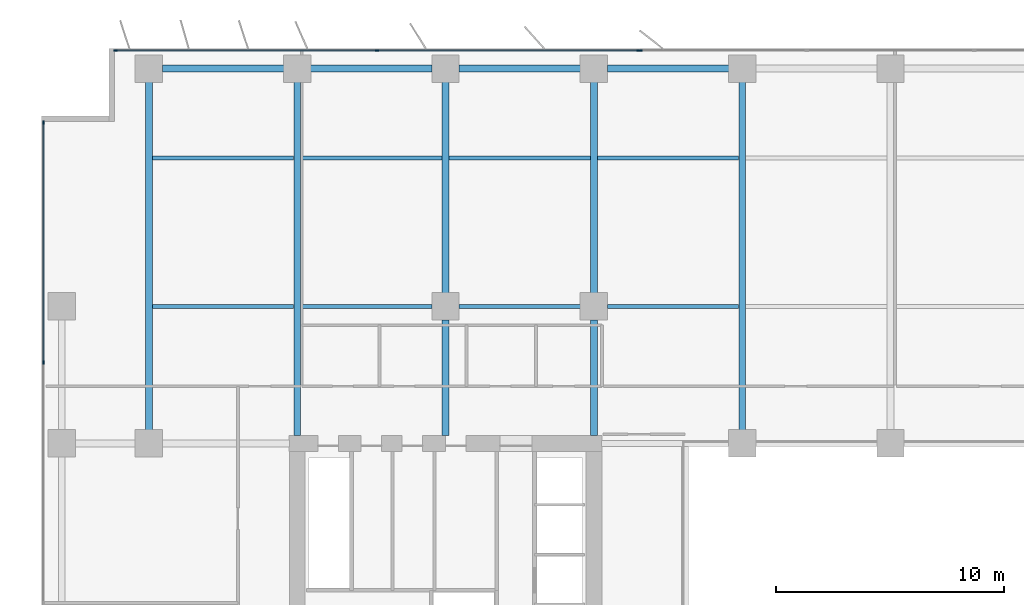
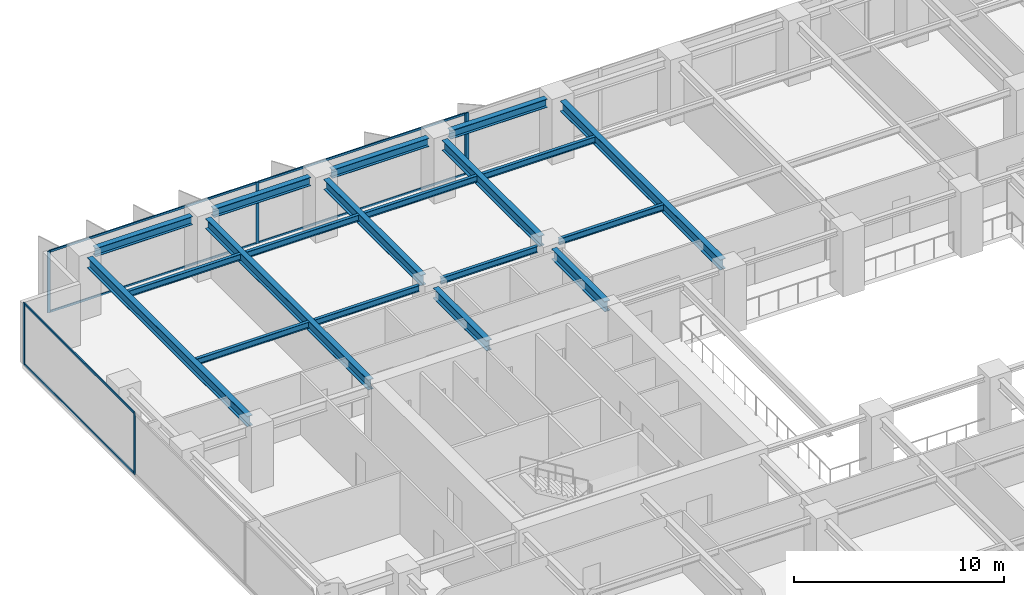
# One storey, part 7 of 20: 19 beams, 12 members, 3 elements without a shape of their own.
"""IFC4 building model written with IfcOpenShell, lengths in metres."""

from ifc_helpers import new_model, si_unit, direction, frame, origin, origin_2d, place, context, subcontext, project, spatial, rectangle, i_section, extrude, material, layer, layer_set, material_profile, profile_set, type_object, element, aggregate, save


model = new_model("IFC4")

# Units and contexts
model_context = context("Model", 3, precision=1e-05, world=origin(), true_north=direction((0.0, 1.0)))
body_context = subcontext(model_context, "Body", "Model", "MODEL_VIEW")
ifc_project = project(units=[si_unit("LENGTHUNIT", "METRE"), si_unit("AREAUNIT", "SQUARE_METRE"), si_unit("VOLUMEUNIT", "CUBIC_METRE"), si_unit("PLANEANGLEUNIT", "RADIAN"), si_unit("MASSUNIT", "GRAM", prefix="KILO")], contexts=[model_context])

# Site, building, storey
site_placement = place(None, origin())
site = spatial("IfcSite", under=ifc_project, at=site_placement, CompositionType="ELEMENT")
building_placement = place(site_placement, origin())
building = spatial("IfcBuilding", under=site, at=building_placement, Name="Putna Gate Headquarters", CompositionType="ELEMENT")
storey_placement = place(building_placement, frame((0.0, 0.0, 105.0)))
storey = spatial("IfcBuildingStorey", under=building, at=storey_placement, Name="L25", CompositionType="ELEMENT", Elevation=105.0)

# Beams
ifc_material_1 = material(Name="Steel S355J2", Category="steel")
ifc_material_profile_1 = material_profile(ifc_material_1, i_section(OverallWidth=0.300048828125, OverallDepth=0.60009765625, WebThickness=0.015380859375, FlangeThickness=0.030029296875, at=origin_2d()), Name="Steel S355J2")
ifc_profile_set_1 = profile_set([ifc_material_profile_1], Name="Steel S355J2")
beam_type_1 = type_object("IfcBeamType", Name="BM-GIRD-Z2-HEB600", PredefinedType="USERDEFINED", material=ifc_profile_set_1)
beam_1_placement = place(storey_placement, frame((6.5, 33.587890625, 3.264892578125), z_axis=(0.0, 1.0, 0.0), x_axis=(-1.0, 0.0, 0.0)))
element("IfcBeam", 1, at=beam_1_placement, inside=storey, type_object=beam_type_1, Name="L25 North Primary Girder X6", ObjectType="GIRDER", PredefinedType="USERDEFINED", context=body_context, shape_type="SweptSolid", body=[
    extrude(i_section(OverallWidth=0.300048828125, OverallDepth=0.60009765625, WebThickness=0.015380859375, FlangeThickness=0.030029296875, at=origin_2d()), origin(), (0.0, 0.0, 1.0), 15.244140625),
])
beam_2_placement = place(storey_placement, frame((13.0, 33.3349609375, 3.264892578125), z_axis=(0.0, 1.0, 0.0), x_axis=(-1.0, 0.0, 0.0)))
element("IfcBeam", 2, at=beam_2_placement, inside=storey, type_object=beam_type_1, Name="L25 North Primary Girder X13", ObjectType="GIRDER", PredefinedType="USERDEFINED", context=body_context, shape_type="SweptSolid", body=[
    extrude(i_section(OverallWidth=0.300048828125, OverallDepth=0.60009765625, WebThickness=0.015380859375, FlangeThickness=0.030029296875, at=origin_2d()), origin(), (0.0, 0.0, 1.0), 15.4970703125),
])
beam_3_placement = place(storey_placement, frame((19.5, 33.3349609375, 3.264892578125), z_axis=(0.0, 1.0, 0.0), x_axis=(-1.0, 0.0, 0.0)))
element("IfcBeam", 3, at=beam_3_placement, inside=storey, type_object=beam_type_1, Name="L25 North Primary Girder X19-1", ObjectType="GIRDER", PredefinedType="USERDEFINED", context=body_context, shape_type="SweptSolid", body=[
    extrude(i_section(OverallWidth=0.300048828125, OverallDepth=0.60009765625, WebThickness=0.015380859375, FlangeThickness=0.030029296875, at=origin_2d()), origin(), (0.0, 0.0, 1.0), 5.0771484375),
])
beam_4_placement = place(storey_placement, frame((19.5, 39.587890625, 3.264892578125), z_axis=(0.0, 1.0, 0.0), x_axis=(-1.0, 0.0, 0.0)))
element("IfcBeam", 4, at=beam_4_placement, inside=storey, type_object=beam_type_1, Name="L25 North Primary Girder X19-2", ObjectType="GIRDER", PredefinedType="USERDEFINED", context=body_context, shape_type="SweptSolid", body=[
    extrude(i_section(OverallWidth=0.300048828125, OverallDepth=0.60009765625, WebThickness=0.015380859375, FlangeThickness=0.030029296875, at=origin_2d()), origin(), (0.0, 0.0, 1.0), 9.244140625),
])
beam_5_placement = place(storey_placement, frame((26.0, 33.3349609375, 3.264892578125), z_axis=(0.0, 1.0, 0.0), x_axis=(-1.0, 0.0, 0.0)))
element("IfcBeam", 5, at=beam_5_placement, inside=storey, type_object=beam_type_1, Name="L25 North Primary Girder X26-1", ObjectType="GIRDER", PredefinedType="USERDEFINED", context=body_context, shape_type="SweptSolid", body=[
    extrude(i_section(OverallWidth=0.300048828125, OverallDepth=0.60009765625, WebThickness=0.015380859375, FlangeThickness=0.030029296875, at=origin_2d()), origin(), (0.0, 0.0, 1.0), 5.0771484375),
])
beam_6_placement = place(storey_placement, frame((26.0, 39.587890625, 3.264892578125), z_axis=(0.0, 1.0, 0.0), x_axis=(-1.0, 0.0, 0.0)))
element("IfcBeam", 6, at=beam_6_placement, inside=storey, type_object=beam_type_1, Name="L25 North Primary Girder X26-2", ObjectType="GIRDER", PredefinedType="USERDEFINED", context=body_context, shape_type="SweptSolid", body=[
    extrude(i_section(OverallWidth=0.300048828125, OverallDepth=0.60009765625, WebThickness=0.015380859375, FlangeThickness=0.030029296875, at=origin_2d()), origin(), (0.0, 0.0, 1.0), 9.244140625),
])
beam_7_placement = place(storey_placement, frame((32.5, 33.587890625, 3.264892578125), z_axis=(0.0, 1.0, 0.0), x_axis=(-1.0, 0.0, 0.0)))
element("IfcBeam", 7, at=beam_7_placement, inside=storey, type_object=beam_type_1, Name="L25 North Primary Girder X32", ObjectType="GIRDER", PredefinedType="USERDEFINED", context=body_context, shape_type="SweptSolid", body=[
    extrude(i_section(OverallWidth=0.300048828125, OverallDepth=0.60009765625, WebThickness=0.015380859375, FlangeThickness=0.030029296875, at=origin_2d()), origin(), (0.0, 0.0, 1.0), 15.244140625),
])
ifc_material_profile_2 = material_profile(ifc_material_1, i_section(OverallWidth=0.169921875, OverallDepth=0.360107421875, WebThickness=0.008056640625, FlangeThickness=0.0126953125, at=origin_2d()), Name="Steel S355J2")
ifc_profile_set_2 = profile_set([ifc_material_profile_2], Name="Steel S355J2")
beam_type_2 = type_object("IfcBeamType", Name="BM-SEC-Z2-IPE360", PredefinedType="BEAM", material=ifc_profile_set_2)
for number, where, z_axis, x_axis, name in (
    (8, (6.654052734375, 39.0, 3.385009765625), (1.0, 0.0, 0.0), (0.0, 1.0, 0.0), "L25 North Secondary Beam 1"),
    (9, (6.654052734375, 45.5, 3.385009765625), (1.0, 0.0, 0.0), (0.0, 1.0, 0.0), "L25 North Secondary Beam 1"),
):
    element("IfcBeam", number, at=place(storey_placement, frame(where, z_axis=z_axis, x_axis=x_axis)), inside=storey, type_object=beam_type_2, Name=name, PredefinedType="BEAM", context=body_context, shape_type="SweptSolid", body=[
        extrude(i_section(OverallWidth=0.169921875, OverallDepth=0.360107421875, WebThickness=0.008056640625, FlangeThickness=0.0126953125, at=origin_2d()), origin(), (0.0, 0.0, 1.0), 6.19189453125),
    ])
beam_8_placement = place(storey_placement, frame((13.154052734375, 39.0, 3.385009765625), z_axis=(1.0, 0.0, 0.0), x_axis=(0.0, 1.0, 0.0)))
element("IfcBeam", 10, at=beam_8_placement, inside=storey, type_object=beam_type_2, Name="L25 North Secondary Beam 2", PredefinedType="BEAM", context=body_context, shape_type="SweptSolid", body=[
    extrude(i_section(OverallWidth=0.169921875, OverallDepth=0.360107421875, WebThickness=0.008056640625, FlangeThickness=0.0126953125, at=origin_2d()), origin(), (0.0, 0.0, 1.0), 5.758056640625),
])
beam_9_placement = place(storey_placement, frame((13.154052734375, 45.5, 3.385009765625), z_axis=(1.0, 0.0, 0.0), x_axis=(0.0, 1.0, 0.0)))
element("IfcBeam", 11, at=beam_9_placement, inside=storey, type_object=beam_type_2, Name="L25 North Secondary Beam 2", PredefinedType="BEAM", context=body_context, shape_type="SweptSolid", body=[
    extrude(i_section(OverallWidth=0.169921875, OverallDepth=0.360107421875, WebThickness=0.008056640625, FlangeThickness=0.0126953125, at=origin_2d()), origin(), (0.0, 0.0, 1.0), 6.19189453125),
])
beam_10_placement = place(storey_placement, frame((20.087890625, 39.0, 3.385009765625), z_axis=(1.0, 0.0, 0.0), x_axis=(0.0, 1.0, 0.0)))
element("IfcBeam", 12, at=beam_10_placement, inside=storey, type_object=beam_type_2, Name="L25 North Secondary Beam 3", PredefinedType="BEAM", context=body_context, shape_type="SweptSolid", body=[
    extrude(i_section(OverallWidth=0.169921875, OverallDepth=0.360107421875, WebThickness=0.008056640625, FlangeThickness=0.0126953125, at=origin_2d()), origin(), (0.0, 0.0, 1.0), 5.32421875),
])
beam_11_placement = place(storey_placement, frame((19.654052734375, 45.5, 3.385009765625), z_axis=(1.0, 0.0, 0.0), x_axis=(0.0, 1.0, 0.0)))
element("IfcBeam", 13, at=beam_11_placement, inside=storey, type_object=beam_type_2, Name="L25 North Secondary Beam 3", PredefinedType="BEAM", context=body_context, shape_type="SweptSolid", body=[
    extrude(i_section(OverallWidth=0.169921875, OverallDepth=0.360107421875, WebThickness=0.008056640625, FlangeThickness=0.0126953125, at=origin_2d()), origin(), (0.0, 0.0, 1.0), 6.19189453125),
])
beam_12_placement = place(storey_placement, frame((26.587890625, 39.0, 3.385009765625), z_axis=(1.0, 0.0, 0.0), x_axis=(0.0, 1.0, 0.0)))
element("IfcBeam", 14, at=beam_12_placement, inside=storey, type_object=beam_type_2, Name="L25 North Secondary Beam 4", PredefinedType="BEAM", context=body_context, shape_type="SweptSolid", body=[
    extrude(i_section(OverallWidth=0.169921875, OverallDepth=0.360107421875, WebThickness=0.008056640625, FlangeThickness=0.0126953125, at=origin_2d()), origin(), (0.0, 0.0, 1.0), 5.758056640625),
])
beam_13_placement = place(storey_placement, frame((26.154052734375, 45.5, 3.385009765625), z_axis=(1.0, 0.0, 0.0), x_axis=(0.0, 1.0, 0.0)))
element("IfcBeam", 15, at=beam_13_placement, inside=storey, type_object=beam_type_2, Name="L25 North Secondary Beam 4", PredefinedType="BEAM", context=body_context, shape_type="SweptSolid", body=[
    extrude(i_section(OverallWidth=0.169921875, OverallDepth=0.360107421875, WebThickness=0.008056640625, FlangeThickness=0.0126953125, at=origin_2d()), origin(), (0.0, 0.0, 1.0), 6.19189453125),
])
ifc_material_profile_3 = material_profile(ifc_material_1, i_section(OverallWidth=0.300048828125, OverallDepth=0.489990234375, WebThickness=0.011962890625, FlangeThickness=0.02294921875, at=origin_2d()), Name="Steel S355J2")
ifc_profile_set_3 = profile_set([ifc_material_profile_3], Name="Steel S355J2")
beam_type_3 = type_object("IfcBeamType", Name="BM-SPAN-Z2-HEA500", PredefinedType="SPANDREL", material=ifc_profile_set_3)
for number, where, z_axis, x_axis, name in (
    (16, (7.087890625, 49.419921875, 3.320068359375), (1.0, 0.0, 0.0), (0.0, 1.0, 0.0), "L25 N Perimeter Spandrel 1"),
    (17, (13.587890625, 49.419921875, 3.320068359375), (1.0, 0.0, 0.0), (0.0, 1.0, 0.0), "L25 N Perimeter Spandrel 2"),
    (18, (20.087890625, 49.419921875, 3.320068359375), (1.0, 0.0, 0.0), (0.0, 1.0, 0.0), "L25 N Perimeter Spandrel 3"),
    (19, (26.587890625, 49.419921875, 3.320068359375), (1.0, 0.0, 0.0), (0.0, 1.0, 0.0), "L25 N Perimeter Spandrel 4"),
):
    element("IfcBeam", number, at=place(storey_placement, frame(where, z_axis=z_axis, x_axis=x_axis)), inside=storey, type_object=beam_type_3, Name=name, PredefinedType="SPANDREL", context=body_context, shape_type="SweptSolid", body=[
        extrude(i_section(OverallWidth=0.300048828125, OverallDepth=0.489990234375, WebThickness=0.011962890625, FlangeThickness=0.02294921875, at=origin_2d()), origin(), (0.0, 0.0, 1.0), 5.32421875),
    ])

# Curtain wall, members
ifc_material_2 = material(Name="Anodised bronze aluminium curtain wall", Category="aluminium")
ifc_layer_1 = layer(ifc_material_2, 0.159912109375)
ifc_layer_set_1 = layer_set([ifc_layer_1], Name="Anodised bronze aluminium curtain wall")
curtain_wall_type_1 = type_object("IfcCurtainWallType", Name="CW-SYS-Z2", PredefinedType="USERDEFINED", material=ifc_layer_set_1)
curtain_wall_1_placement = place(storey_placement, origin())
curtain_wall_1 = element("IfcCurtainWall", 20, at=curtain_wall_1_placement, inside=storey, type_object=curtain_wall_type_1, Name="L25 North West Curtain Wall", ObjectType="STICK CURTAIN WALL", PredefinedType="USERDEFINED")
ifc_material_3 = material(Name="Anodised bronze aluminium EN AW-6060", Category="aluminium")
ifc_material_profile_4 = material_profile(ifc_material_3, rectangle(XDim=0.06494140625, YDim=0.159912109375, at=origin_2d()), Name="Anodised bronze aluminium EN AW-6060")
ifc_profile_set_4 = profile_set([ifc_material_profile_4], Name="Anodised bronze aluminium EN AW-6060")
member_type_1 = type_object("IfcMemberType", Name="MULL-CWM-2", PredefinedType="MULLION", material=ifc_profile_set_4)
member_1_placement = place(storey_placement, frame((5.032470703125, 50.219970703125, 0.0), z_axis=(0.0, 0.0, 1.0), x_axis=(0.0, 1.0, 0.0)))
member_1 = element("IfcMember", 21, at=member_1_placement, type_object=member_type_1, Name="CWS-2 mullion 1", PredefinedType="MULLION", context=body_context, shape_type="SweptSolid", body=[
    extrude(rectangle(XDim=0.06494140625, YDim=0.159912109375, at=origin_2d()), origin(), (0.0, 0.0, 1.0), 3.56494140625),
])
member_2_placement = place(storey_placement, frame((16.5, 50.219970703125, 0.0), z_axis=(0.0, 0.0, 1.0), x_axis=(0.0, 1.0, 0.0)))
member_2 = element("IfcMember", 22, at=member_2_placement, type_object=member_type_1, Name="CWS-2 mullion 2", PredefinedType="MULLION", context=body_context, shape_type="SweptSolid", body=[
    extrude(rectangle(XDim=0.06494140625, YDim=0.159912109375, at=origin_2d()), origin(), (0.0, 0.0, 1.0), 3.56494140625),
])
member_3_placement = place(storey_placement, frame((27.967529296875, 50.219970703125, 0.0), z_axis=(0.0, 0.0, 1.0), x_axis=(0.0, 1.0, 0.0)))
member_3 = element("IfcMember", 23, at=member_3_placement, type_object=member_type_1, Name="CWS-2 mullion 3", PredefinedType="MULLION", context=body_context, shape_type="SweptSolid", body=[
    extrude(rectangle(XDim=0.06494140625, YDim=0.159912109375, at=origin_2d()), origin(), (0.0, 0.0, 1.0), 3.56494140625),
])

curtain_wall_2_placement = place(storey_placement, origin())
curtain_wall_2 = element("IfcCurtainWall", 24, at=curtain_wall_2_placement, inside=storey, type_object=curtain_wall_type_1, Name="L25 West Curtain Wall", ObjectType="STICK CURTAIN WALL", PredefinedType="USERDEFINED")
member_4_placement = place(storey_placement, frame((1.8798828125, 36.550048828125, 0.0), z_axis=(0.0, 0.0, 1.0), x_axis=(-1.0, 0.0, 0.0)))
member_4 = element("IfcMember", 25, at=member_4_placement, type_object=member_type_1, Name="CWS-2 mullion 4", PredefinedType="MULLION", context=body_context, shape_type="SweptSolid", body=[
    extrude(rectangle(XDim=0.06494140625, YDim=0.159912109375, at=origin_2d()), origin(), (0.0, 0.0, 1.0), 3.56494140625),
])
member_5_placement = place(storey_placement, frame((1.8798828125, 47.0673828125, 0.0), z_axis=(0.0, 0.0, 1.0), x_axis=(-1.0, 0.0, 0.0)))
member_5 = element("IfcMember", 26, at=member_5_placement, type_object=member_type_1, Name="CWS-2 mullion 5", PredefinedType="MULLION", context=body_context, shape_type="SweptSolid", body=[
    extrude(rectangle(XDim=0.06494140625, YDim=0.159912109375, at=origin_2d()), origin(), (0.0, 0.0, 1.0), 3.56494140625),
])

# Curtain wall, member
ifc_layer_2 = layer(ifc_material_2, 0.179931640625)
ifc_layer_set_2 = layer_set([ifc_layer_2], Name="Anodised bronze aluminium curtain wall")
curtain_wall_type_2 = type_object("IfcCurtainWallType", Name="CW-SYS-ATR", PredefinedType="USERDEFINED", material=ifc_layer_set_2)
curtain_wall_3_placement = place(storey_placement, origin())
curtain_wall_3 = element("IfcCurtainWall", 27, at=curtain_wall_3_placement, inside=storey, type_object=curtain_wall_type_2, Name="L25 North Atrium Clear Glazing", ObjectType="ATRIUM GLAZING", PredefinedType="USERDEFINED")
ifc_material_profile_5 = material_profile(ifc_material_3, rectangle(XDim=0.070068359375, YDim=0.179931640625, at=origin_2d()), Name="Anodised bronze aluminium EN AW-6060")
ifc_profile_set_5 = profile_set([ifc_material_profile_5], Name="Anodised bronze aluminium EN AW-6060")
member_type_2 = type_object("IfcMemberType", Name="MULL-CWM-AT", PredefinedType="MULLION", material=ifc_profile_set_5)
member_6_placement = place(storey_placement, frame((28.034912109375, 50.219970703125, 0.0), z_axis=(0.0, 0.0, 1.0), x_axis=(0.0, 1.0, 0.0)))
member_6 = element("IfcMember", 28, at=member_6_placement, type_object=member_type_2, Name="CWS-AT mullion 1", PredefinedType="MULLION", context=body_context, shape_type="SweptSolid", body=[
    extrude(rectangle(XDim=0.070068359375, YDim=0.179931640625, at=origin_2d()), origin(), (0.0, 0.0, 1.0), 3.56494140625),
])
aggregate(curtain_wall_3, [member_6])

# Member
ifc_material_profile_6 = material_profile(ifc_material_3, rectangle(XDim=0.06494140625, YDim=0.1201171875, at=origin_2d()), Name="Anodised bronze aluminium EN AW-6060")
ifc_profile_set_6 = profile_set([ifc_material_profile_6], Name="Anodised bronze aluminium EN AW-6060")
member_type_3 = type_object("IfcMemberType", Name="TRAN-CWT-2", PredefinedType="USERDEFINED", material=ifc_profile_set_6)
member_7_placement = place(storey_placement, frame((5.06494140625, 50.219970703125, 0.032470703125), z_axis=(1.0, 0.0, 0.0), x_axis=(0.0, 1.0, 0.0)))
member_7 = element("IfcMember", 29, at=member_7_placement, type_object=member_type_3, Name="CWS-2 transom 1.1", ObjectType="TRANSOM", PredefinedType="USERDEFINED", context=body_context, shape_type="SweptSolid", body=[
    extrude(rectangle(XDim=0.06494140625, YDim=0.1201171875, at=origin_2d()), origin(), (0.0, 0.0, 1.0), 11.402587890625),
])

member_8_placement = place(storey_placement, frame((5.06494140625, 50.219970703125, 3.532470703125), z_axis=(1.0, 0.0, 0.0), x_axis=(0.0, 1.0, 0.0)))
member_8 = element("IfcMember", 30, at=member_8_placement, type_object=member_type_3, Name="CWS-2 transom 1.2", ObjectType="TRANSOM", PredefinedType="USERDEFINED", context=body_context, shape_type="SweptSolid", body=[
    extrude(rectangle(XDim=0.06494140625, YDim=0.1201171875, at=origin_2d()), origin(), (0.0, 0.0, 1.0), 11.402587890625),
])

member_9_placement = place(storey_placement, frame((16.532470703125, 50.219970703125, 0.032470703125), z_axis=(1.0, 0.0, 0.0), x_axis=(0.0, 1.0, 0.0)))
member_9 = element("IfcMember", 31, at=member_9_placement, type_object=member_type_3, Name="CWS-2 transom 2.1", ObjectType="TRANSOM", PredefinedType="USERDEFINED", context=body_context, shape_type="SweptSolid", body=[
    extrude(rectangle(XDim=0.06494140625, YDim=0.1201171875, at=origin_2d()), origin(), (0.0, 0.0, 1.0), 11.402587890625),
])

member_10_placement = place(storey_placement, frame((16.532470703125, 50.219970703125, 3.532470703125), z_axis=(1.0, 0.0, 0.0), x_axis=(0.0, 1.0, 0.0)))
member_10 = element("IfcMember", 32, at=member_10_placement, type_object=member_type_3, Name="CWS-2 transom 2.2", ObjectType="TRANSOM", PredefinedType="USERDEFINED", context=body_context, shape_type="SweptSolid", body=[
    extrude(rectangle(XDim=0.06494140625, YDim=0.1201171875, at=origin_2d()), origin(), (0.0, 0.0, 1.0), 11.402587890625),
])

aggregate(curtain_wall_1, [member_1, member_2, member_3, member_7, member_8, member_9, member_10])

member_11_placement = place(storey_placement, frame((1.8798828125, 36.58251953125, 0.032470703125), z_axis=(0.0, 1.0, 0.0), x_axis=(-1.0, 0.0, 0.0)))
member_11 = element("IfcMember", 33, at=member_11_placement, type_object=member_type_3, Name="CWS-2 transom 4.1", ObjectType="TRANSOM", PredefinedType="USERDEFINED", context=body_context, shape_type="SweptSolid", body=[
    extrude(rectangle(XDim=0.06494140625, YDim=0.1201171875, at=origin_2d()), origin(), (0.0, 0.0, 1.0), 10.452392578125),
])

member_12_placement = place(storey_placement, frame((1.8798828125, 36.58251953125, 3.532470703125), z_axis=(0.0, 1.0, 0.0), x_axis=(-1.0, 0.0, 0.0)))
member_12 = element("IfcMember", 34, at=member_12_placement, type_object=member_type_3, Name="CWS-2 transom 4.2", ObjectType="TRANSOM", PredefinedType="USERDEFINED", context=body_context, shape_type="SweptSolid", body=[
    extrude(rectangle(XDim=0.06494140625, YDim=0.1201171875, at=origin_2d()), origin(), (0.0, 0.0, 1.0), 10.452392578125),
])

aggregate(curtain_wall_2, [member_4, member_5, member_11, member_12])

save(model, "model.ifc")
